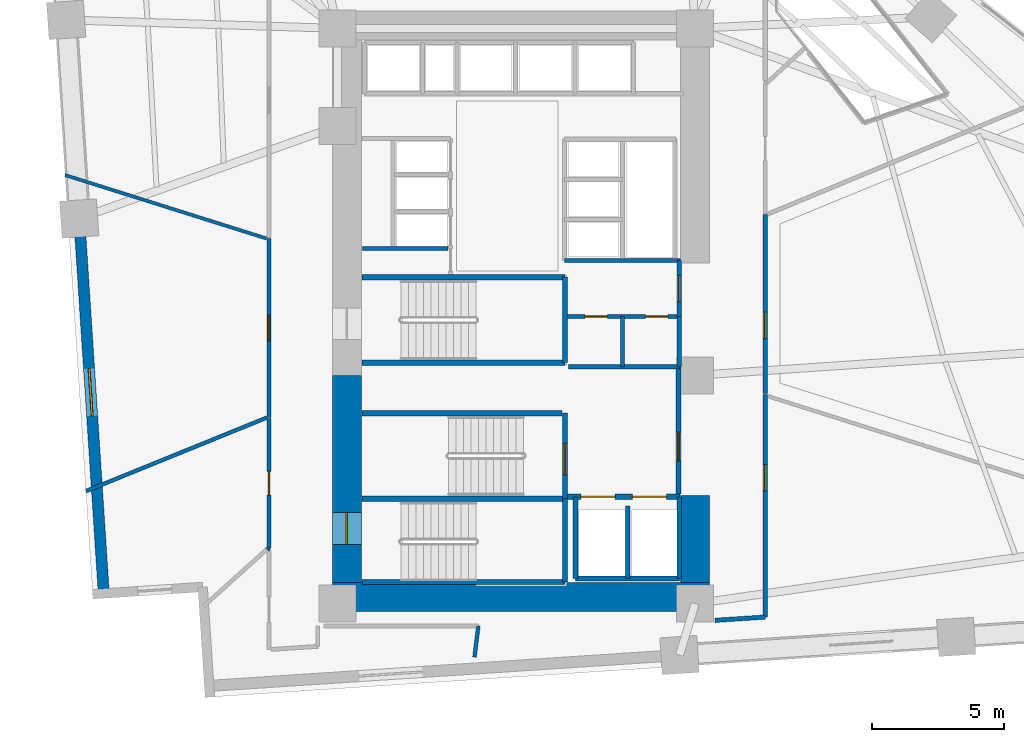
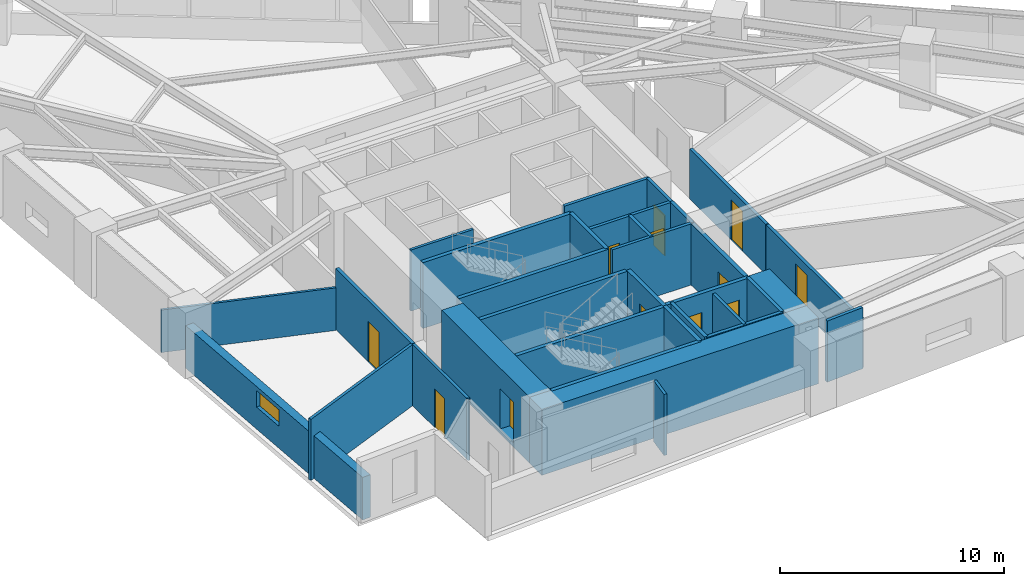
# One storey, part 12 of 16: 34 walls, 12 doors, 1 window, 13 openings.
"""IFC4 building model written with IfcOpenShell, lengths in metres."""

from ifc_helpers import new_model, si_unit, direction, frame, frame_2d, origin, place, context, subcontext, project, spatial, rectangle, extrude, material, layer, layer_set, type_object, element, fill, save


model = new_model("IFC4")

# Units and contexts
model_context = context("Model", 3, precision=1e-05, world=origin(), true_north=direction((0.0, 1.0)))
body_context = subcontext(model_context, "Body", "Model", "MODEL_VIEW")
ifc_project = project(units=[si_unit("LENGTHUNIT", "METRE"), si_unit("AREAUNIT", "SQUARE_METRE"), si_unit("VOLUMEUNIT", "CUBIC_METRE"), si_unit("PLANEANGLEUNIT", "RADIAN"), si_unit("MASSUNIT", "GRAM", prefix="KILO")], contexts=[model_context])

# Site, building, storey
site_placement = place(None, origin())
site = spatial("IfcSite", under=ifc_project, at=site_placement, CompositionType="ELEMENT")
building_placement = place(site_placement, origin())
building = spatial("IfcBuilding", under=site, at=building_placement, Name="Narakoshi Arena Tower", CompositionType="ELEMENT")
storey_placement = place(building_placement, frame((0.0, 0.0, 77.699951171875)))
storey = spatial("IfcBuildingStorey", under=building, at=storey_placement, Name="L20", CompositionType="ELEMENT", Elevation=77.699951171875)

# Wall, opening, door
ifc_material_1 = material(Name="Concrete C60/75", Category="concrete")
ifc_layer_1 = layer(ifc_material_1, 1.10009765625)
ifc_layer_set_1 = layer_set([ifc_layer_1], Name="Concrete C60/75")
wall_type_1 = type_object("IfcWallType", Name="WL-CORE-1100", PredefinedType="SHEAR", material=ifc_layer_set_1)
wall_1_placement = place(storey_placement, frame((72.35009765625, 35.5, -0.260009765625), z_axis=(0.0, 0.0, 1.0), x_axis=(0.0, 1.0, 0.0)))
wall_1 = element("IfcWall", 1, at=wall_1_placement, inside=storey, type_object=wall_type_1, Name="L20 Central Core Shear Wall CW-APX-W", PredefinedType="SHEAR", context=body_context, shape_type="SweptSolid", body=[
    extrude(rectangle(XDim=7.85009765625, YDim=1.10009765625, at=frame_2d((3.925048828125, 0.0))), origin(), (0.0, 0.0, 1.0), 3.60009765625),
])
opening_1_placement = place(wall_1_placement, frame((1.449951171875, 0.0, 0.260009765625)))
opening_1 = element("IfcOpeningElement", 2, at=opening_1_placement, cuts=wall_1, Name="Opening D-03", PredefinedType="OPENING", context=body_context, shape_type="SweptSolid", body=[
    extrude(rectangle(XDim=1.199951171875, YDim=2.199951171875, at=frame_2d((0.60009765625, 1.10009765625))), frame((0.0, 0.56005859375, 0.0), z_axis=(0.0, -1.0, 0.0), x_axis=(1.0, 0.0, 0.0)), (0.0, 0.0, 1.0), 1.1201171875),
])
ifc_material_2 = material(Name="Painted galvanized steel", Category="steel")
door_type_1 = type_object("IfcDoorType", Name="DR-STR-1200", OperationType="NOTDEFINED", PredefinedType="USERDEFINED", material=ifc_material_2)
door_1_placement = place(opening_1_placement, frame((1.199951171875, 0.0, 0.0), z_axis=(0.0, 0.0, 1.0), x_axis=(-1.0, 0.0, 0.0)))
door_1 = element("IfcDoor", 3, at=door_1_placement, inside=storey, type_object=door_type_1, Name="DR-L20-001", ObjectType="EXITDOOR", OperationType="SINGLE_SWING_LEFT", OverallHeight=2.199951171875, OverallWidth=1.199951171875, PredefinedType="USERDEFINED", context=body_context, shape_type="SweptSolid", body=[
    extrude(rectangle(XDim=1.199951171875, YDim=2.199951171875, at=frame_2d((0.60009765625, 1.10009765625))), frame((0.0, 0.02490234375, 0.0), z_axis=(0.0, -1.0, 0.0), x_axis=(1.0, 0.0, 0.0)), (0.0, 0.0, 1.0), 0.050048828125),
])
fill(opening_1, door_1)

# Walls
wall_2_placement = place(storey_placement, frame((71.800048828125, 34.949951171875, -0.260009765625), z_axis=(0.0, 0.0, 1.0), x_axis=(1.0, 0.0, 0.0)))
element("IfcWall", 4, at=wall_2_placement, inside=storey, type_object=wall_type_1, Name="L20 Central Core Shear Wall CW-APX-S", PredefinedType="SHEAR", context=body_context, shape_type="SweptSolid", body=[
    extrude(rectangle(XDim=14.300048828125, YDim=1.10009765625, at=frame_2d((7.14990234375, 0.0))), origin(), (0.0, 0.0, 1.0), 3.60009765625),
])
wall_3_placement = place(storey_placement, frame((85.550048828125, 35.5, -0.260009765625), z_axis=(0.0, 0.0, 1.0), x_axis=(0.0, 1.0, 0.0)))
element("IfcWall", 5, at=wall_3_placement, inside=storey, type_object=wall_type_1, Name="L20 Central Core Shear Wall CW-APX-E", PredefinedType="SHEAR", context=body_context, shape_type="SweptSolid", body=[
    extrude(rectangle(XDim=3.300048828125, YDim=1.10009765625, at=frame_2d((1.64990234375, 0.0))), origin(), (0.0, 0.0, 1.0), 3.60009765625),
])

# Wall, opening, door
ifc_material_3 = material(Name="Gypsum plasterboard fire-rated partition")
ifc_layer_2 = layer(ifc_material_3, 0.1650390625)
ifc_layer_set_2 = layer_set([ifc_layer_2], Name="Gypsum plasterboard fire-rated partition")
wall_type_2 = type_object("IfcWallType", Name="WL-CORR-165", PredefinedType="PARTITIONING", material=ifc_layer_set_2)
wall_4_placement = place(storey_placement, frame((84.949951171875, 45.580078125, 0.0), z_axis=(0.0, 0.0, 1.0), x_axis=(0.0, 1.0, 0.0)))
wall_4 = element("IfcWall", 6, at=wall_4_placement, inside=storey, type_object=wall_type_2, Name="L20 Core Wall CPAS-E", PredefinedType="PARTITIONING", context=body_context, shape_type="SweptSolid", body=[
    extrude(rectangle(XDim=2.119873046875, YDim=0.1650390625, at=frame_2d((1.06005859375, 0.0))), origin(), (0.0, 0.0, 1.0), 3.340087890625),
])
opening_2_placement = place(wall_4_placement, frame((0.56005859375, 0.0, 0.0)))
opening_2 = element("IfcOpeningElement", 7, at=opening_2_placement, cuts=wall_4, Name="Opening D-06", PredefinedType="OPENING", context=body_context, shape_type="SweptSolid", body=[
    extrude(rectangle(XDim=1.0, YDim=2.199951171875, at=frame_2d((0.5, 1.10009765625))), frame((0.0, 0.092529296875, 0.0), z_axis=(0.0, -1.0, 0.0), x_axis=(1.0, 0.0, 0.0)), (0.0, 0.0, 1.0), 0.18505859375),
])
ifc_material_4 = material(Name="Stained oak solid-core timber", Category="wood")
door_type_2 = type_object("IfcDoorType", Name="DR-OFF-1000", OperationType="NOTDEFINED", PredefinedType="DOOR", material=ifc_material_4)
door_2_placement = place(opening_2_placement, frame((1.0, 0.0, 0.0), z_axis=(0.0, 0.0, 1.0), x_axis=(-1.0, 0.0, 0.0)))
door_2 = element("IfcDoor", 8, at=door_2_placement, inside=storey, type_object=door_type_2, Name="DR-L20-007", OperationType="SINGLE_SWING_LEFT", OverallHeight=2.199951171875, OverallWidth=1.0, PredefinedType="DOOR", context=body_context, shape_type="SweptSolid", body=[
    extrude(rectangle(XDim=1.0, YDim=2.199951171875, at=frame_2d((0.5, 1.10009765625))), frame((0.0, 0.02490234375, 0.0), z_axis=(0.0, -1.0, 0.0), x_axis=(1.0, 0.0, 0.0)), (0.0, 0.0, 1.0), 0.050048828125),
])
fill(opening_2, door_2)

wall_5_placement = place(storey_placement, frame((69.402587890625, 48.54150390625, 0.0), z_axis=(0.0, 0.0, 1.0), x_axis=(0.0, -1.0, 0.0)))
wall_5 = element("IfcWall", 9, at=wall_5_placement, inside=storey, type_object=wall_type_2, Name="L20 Corridor Partition 01-1", PredefinedType="PARTITIONING", context=body_context, shape_type="SweptSolid", body=[
    extrude(rectangle(XDim=6.792236328125, YDim=0.1650390625, at=frame_2d((3.39599609375, 0.0))), origin(), (0.0, 0.0, 1.0), 3.340087890625),
])
opening_3_placement = place(wall_5_placement, frame((2.89599609375, 0.0, 0.0)))
opening_3 = element("IfcOpeningElement", 10, at=opening_3_placement, cuts=wall_5, Name="Opening D-06", PredefinedType="OPENING", context=body_context, shape_type="SweptSolid", body=[
    extrude(rectangle(XDim=1.0, YDim=2.199951171875, at=frame_2d((0.5, 1.10009765625))), frame((0.0, 0.092529296875, 0.0), z_axis=(0.0, -1.0, 0.0), x_axis=(1.0, 0.0, 0.0)), (0.0, 0.0, 1.0), 0.18505859375),
])
door_3_placement = place(opening_3_placement, frame((1.0, 0.0, 0.0), z_axis=(0.0, 0.0, 1.0), x_axis=(-1.0, 0.0, 0.0)))
door_3 = element("IfcDoor", 11, at=door_3_placement, inside=storey, type_object=door_type_2, Name="DR-L20-014", OperationType="SINGLE_SWING_RIGHT", OverallHeight=2.199951171875, OverallWidth=1.0, PredefinedType="DOOR", context=body_context, shape_type="SweptSolid", body=[
    extrude(rectangle(XDim=1.0, YDim=2.199951171875, at=frame_2d((0.5, 1.10009765625))), frame((0.0, 0.02490234375, 0.0), z_axis=(0.0, -1.0, 0.0), x_axis=(1.0, 0.0, 0.0)), (0.0, 0.0, 1.0), 0.050048828125),
])
fill(opening_3, door_3)

wall_6_placement = place(storey_placement, frame((88.20947265625, 34.191650390625, 0.0), z_axis=(0.0, 0.0, 1.0), x_axis=(0.0, 1.0, 0.0)))
wall_6 = element("IfcWall", 12, at=wall_6_placement, inside=storey, type_object=wall_type_2, Name="L20 Corridor Partition 04-1", PredefinedType="PARTITIONING", context=body_context, shape_type="SweptSolid", body=[
    extrude(rectangle(XDim=8.43798828125, YDim=0.1650390625, at=frame_2d((4.218994140625, 0.0))), origin(), (0.0, 0.0, 1.0), 2.72509765625),
])
opening_4_placement = place(wall_6_placement, frame((4.774658203125, 0.0, 0.0)))
opening_4 = element("IfcOpeningElement", 13, at=opening_4_placement, cuts=wall_6, Name="Opening D-06", PredefinedType="OPENING", context=body_context, shape_type="SweptSolid", body=[
    extrude(rectangle(XDim=1.0, YDim=2.199951171875, at=frame_2d((0.5, 1.10009765625))), frame((0.0, 0.092529296875, 0.0), z_axis=(0.0, -1.0, 0.0), x_axis=(1.0, 0.0, 0.0)), (0.0, 0.0, 1.0), 0.18505859375),
])
door_4_placement = place(opening_4_placement, frame((1.0, 0.0, 0.0), z_axis=(0.0, 0.0, 1.0), x_axis=(-1.0, 0.0, 0.0)))
door_4 = element("IfcDoor", 14, at=door_4_placement, inside=storey, type_object=door_type_2, Name="DR-L20-017", OperationType="SINGLE_SWING_LEFT", OverallHeight=2.199951171875, OverallWidth=1.0, PredefinedType="DOOR", context=body_context, shape_type="SweptSolid", body=[
    extrude(rectangle(XDim=1.0, YDim=2.199951171875, at=frame_2d((0.5, 1.10009765625))), frame((0.0, 0.02490234375, 0.0), z_axis=(0.0, -1.0, 0.0), x_axis=(1.0, 0.0, 0.0)), (0.0, 0.0, 1.0), 0.050048828125),
])
fill(opening_4, door_4)

# Wall
wall_7_placement = place(storey_placement, frame((86.300048828125, 34.066650390625, 0.0), z_axis=(0.0, 0.0, 1.0), x_axis=(0.997864044661, 0.065324944491, 0.0)))
element("IfcWall", 15, at=wall_7_placement, inside=storey, type_object=wall_type_2, Name="L20 Corridor Partition 04-2", PredefinedType="PARTITIONING", context=body_context, shape_type="SweptSolid", body=[
    extrude(rectangle(XDim=1.91357421875, YDim=0.1650390625, at=frame_2d((0.956787109375, 0.0))), origin(), (0.0, 0.0, 1.0), 3.340087890625),
])

# Wall, opening, door
wall_8_placement = place(storey_placement, frame((88.20947265625, 42.65478515625, 0.0), z_axis=(0.0, 0.0, 1.0), x_axis=(0.0, 1.0, 0.0)))
wall_8 = element("IfcWall", 16, at=wall_8_placement, inside=storey, type_object=wall_type_2, Name="L20 Corridor Partition 05-1", PredefinedType="PARTITIONING", context=body_context, shape_type="SweptSolid", body=[
    extrude(rectangle(XDim=6.801025390625, YDim=0.1650390625, at=frame_2d((3.400390625, 0.0))), origin(), (0.0, 0.0, 1.0), 2.72509765625),
])
opening_5_placement = place(wall_8_placement, frame((2.09033203125, 0.0, 0.0)))
opening_5 = element("IfcOpeningElement", 17, at=opening_5_placement, cuts=wall_8, Name="Opening D-06", PredefinedType="OPENING", context=body_context, shape_type="SweptSolid", body=[
    extrude(rectangle(XDim=1.0, YDim=2.199951171875, at=frame_2d((0.5, 1.10009765625))), frame((0.0, 0.092529296875, 0.0), z_axis=(0.0, -1.0, 0.0), x_axis=(1.0, 0.0, 0.0)), (0.0, 0.0, 1.0), 0.18505859375),
])
door_5_placement = place(opening_5_placement, frame((1.0, 0.0, 0.0), z_axis=(0.0, 0.0, 1.0), x_axis=(-1.0, 0.0, 0.0)))
door_5 = element("IfcDoor", 18, at=door_5_placement, inside=storey, type_object=door_type_2, Name="DR-L20-018", OperationType="SINGLE_SWING_RIGHT", OverallHeight=2.199951171875, OverallWidth=1.0, PredefinedType="DOOR", context=body_context, shape_type="SweptSolid", body=[
    extrude(rectangle(XDim=1.0, YDim=2.199951171875, at=frame_2d((0.5, 1.10009765625))), frame((0.0, 0.02490234375, 0.0), z_axis=(0.0, -1.0, 0.0), x_axis=(1.0, 0.0, 0.0)), (0.0, 0.0, 1.0), 0.050048828125),
])
fill(opening_5, door_5)

# Wall
ifc_layer_3 = layer(ifc_material_3, 0.125)
ifc_layer_set_3 = layer_set([ifc_layer_3], Name="Gypsum plasterboard fire-rated partition")
wall_type_3 = type_object("IfcWallType", Name="WL-PART-125", PredefinedType="PARTITIONING", material=ifc_layer_set_3)
wall_9_placement = place(storey_placement, frame((61.676513671875, 50.939697265625, 0.0), z_axis=(0.0, 0.0, 1.0), x_axis=(0.953821246536, -0.300374815282, 0.0)))
element("IfcWall", 19, at=wall_9_placement, inside=storey, type_object=wall_type_3, Name="L20 Inter-Room Partition 01-09", PredefinedType="PARTITIONING", context=body_context, shape_type="SweptSolid", body=[
    extrude(rectangle(XDim=8.0009765625, YDim=0.125, at=frame_2d((4.00048828125, 0.0))), origin(), (0.0, 0.0, 1.0), 2.324951171875),
])

# Wall, opening, window
ifc_material_5 = material(Name="Precast concrete C45/55", Category="concrete")
ifc_layer_4 = layer(ifc_material_5, 0.419921875)
ifc_layer_set_4 = layer_set([ifc_layer_4], Name="Precast concrete C45/55")
wall_type_4 = type_object("IfcWallType", Name="WL-POD-420", PredefinedType="SOLIDWALL", material=ifc_layer_set_4)
wall_10_placement = place(storey_placement, frame((62.210205078125, 49.294921875, 0.0), z_axis=(0.0, 0.0, 1.0), x_axis=(0.065396027757, -0.997859388668, 0.0)))
wall_10 = element("IfcWall", 20, at=wall_10_placement, inside=storey, type_object=wall_type_4, Name="L20 Architectural Concrete Facade Wall LEGB-3", PredefinedType="SOLIDWALL", context=body_context, shape_type="SweptSolid", body=[
    extrude(rectangle(XDim=14.242431640625, YDim=0.419921875, at=frame_2d((7.12109375, 0.0))), origin(), (0.0, 0.0, 1.0), 2.324951171875),
])
opening_6_placement = place(wall_10_placement, frame((5.699951171875, 0.0, 1.199951171875)))
opening_6 = element("IfcOpeningElement", 21, at=opening_6_placement, cuts=wall_10, Name="Opening WN-02", PredefinedType="OPENING", context=body_context, shape_type="SweptSolid", body=[
    extrude(rectangle(XDim=1.800048828125, YDim=0.89990234375, at=frame_2d((0.89990234375, 0.449951171875))), frame((0.0, 0.219970703125, 0.0), z_axis=(0.0, -1.0, 0.0), x_axis=(1.0, 0.0, 0.0)), (0.0, 0.0, 1.0), 0.43994140625),
])
ifc_material_6 = material(Name="Bronze-tinted low-E laminated glass", Category="glass")
window_type = type_object("IfcWindowType", Name="WIN-SLT-18x09", PartitioningType="SINGLE_PANEL", PredefinedType="WINDOW", material=ifc_material_6)
window_placement = place(opening_6_placement, origin())
window = element("IfcWindow", 22, at=window_placement, inside=storey, type_object=window_type, Name="L20 LEGB3 Horizontal Slot Window 1", OverallHeight=0.89990234375, OverallWidth=1.800048828125, PartitioningType="SINGLE_PANEL", PredefinedType="WINDOW", context=body_context, shape_type="SweptSolid", body=[
    extrude(rectangle(XDim=1.800048828125, YDim=0.89990234375, at=frame_2d((0.89990234375, 0.449951171875))), frame((0.0, 0.030029296875, 0.0), z_axis=(0.0, -1.0, 0.0), x_axis=(1.0, 0.0, 0.0)), (0.0, 0.0, 1.0), 0.06005859375),
])
fill(opening_6, window)

# Walls
ifc_material_7 = material(Name="Concrete C40/50", Category="concrete")
ifc_layer_5 = layer(ifc_material_7, 0.280029296875)
ifc_layer_set_5 = layer_set([ifc_layer_5], Name="Concrete C40/50")
wall_type_5 = type_object("IfcWallType", Name="WL-RISER-280", PredefinedType="PLUMBINGWALL", material=ifc_layer_set_5)
wall_11_placement = place(storey_placement, frame((83.0, 35.64990234375, 0.0), z_axis=(0.0, 0.0, 1.0), x_axis=(0.0, 1.0, 0.0)))
element("IfcWall", 23, at=wall_11_placement, inside=storey, type_object=wall_type_5, Name="L20 Core Wall FF-DIV", PredefinedType="PLUMBINGWALL", context=body_context, shape_type="SweptSolid", body=[
    extrude(rectangle(XDim=2.75, YDim=0.159912109375, at=frame_2d((1.375, 0.0))), origin(), (0.0, 0.0, 1.0), 3.340087890625),
])
wall_12_placement = place(storey_placement, frame((84.949951171875, 43.679931640625, 0.0), z_axis=(0.0, 0.0, 1.0), x_axis=(0.0, 1.0, 0.0)))
element("IfcWall", 24, at=wall_12_placement, inside=storey, type_object=wall_type_5, Name="L20 Core Wall RSR-E", PredefinedType="PLUMBINGWALL", context=body_context, shape_type="SweptSolid", body=[
    extrude(rectangle(XDim=1.900146484375, YDim=0.1650390625, at=frame_2d((0.9501953125, 0.0))), origin(), (0.0, 0.0, 1.0), 3.340087890625),
])

# Wall, openings, doors
wall_13_placement = place(storey_placement, frame((80.719970703125, 45.580078125, 0.0), z_axis=(0.0, 0.0, 1.0), x_axis=(1.0, 0.0, 0.0)))
wall_13 = element("IfcWall", 25, at=wall_13_placement, inside=storey, type_object=wall_type_5, Name="L20 Core Wall RSR-N", PredefinedType="PLUMBINGWALL", context=body_context, shape_type="SweptSolid", body=[
    extrude(rectangle(XDim=4.22998046875, YDim=0.159912109375, at=frame_2d((2.114990234375, 0.0))), origin(), (0.0, 0.0, 1.0), 3.340087890625),
])
opening_7_placement = place(wall_13_placement, frame((0.64990234375, 0.0, 0.0)))
opening_7 = element("IfcOpeningElement", 26, at=opening_7_placement, cuts=wall_13, Name="Opening D-10", PredefinedType="OPENING", context=body_context, shape_type="SweptSolid", body=[
    extrude(rectangle(XDim=0.85009765625, YDim=2.050048828125, at=frame_2d((0.425048828125, 1.02490234375))), frame((0.0, 0.08984375, 0.0), z_axis=(0.0, -1.0, 0.0), x_axis=(1.0, 0.0, 0.0)), (0.0, 0.0, 1.0), 0.179931640625),
])
opening_8_placement = place(wall_13_placement, frame((2.949951171875, 0.0, 0.0)))
opening_8 = element("IfcOpeningElement", 27, at=opening_8_placement, cuts=wall_13, Name="Opening D-10", PredefinedType="OPENING", context=body_context, shape_type="SweptSolid", body=[
    extrude(rectangle(XDim=0.85009765625, YDim=2.050048828125, at=frame_2d((0.425048828125, 1.02490234375))), frame((0.0, 0.08984375, 0.0), z_axis=(0.0, -1.0, 0.0), x_axis=(1.0, 0.0, 0.0)), (0.0, 0.0, 1.0), 0.179931640625),
])
door_type_3 = type_object("IfcDoorType", Name="DR-RSR-850", OperationType="NOTDEFINED", PredefinedType="DOOR", material=ifc_material_2)
door_6_placement = place(opening_7_placement, frame((0.85009765625, 0.0, 0.0), z_axis=(0.0, 0.0, 1.0), x_axis=(-1.0, 0.0, 0.0)))
door_6 = element("IfcDoor", 28, at=door_6_placement, inside=storey, type_object=door_type_3, Name="DR-L20-008", OperationType="SINGLE_SWING_LEFT", OverallHeight=2.050048828125, OverallWidth=0.85009765625, PredefinedType="DOOR", context=body_context, shape_type="SweptSolid", body=[
    extrude(rectangle(XDim=0.85009765625, YDim=2.050048828125, at=frame_2d((0.425048828125, 1.02490234375))), frame((0.0, 0.02490234375, 0.0), z_axis=(0.0, -1.0, 0.0), x_axis=(1.0, 0.0, 0.0)), (0.0, 0.0, 1.0), 0.050048828125),
])
fill(opening_7, door_6)
door_7_placement = place(opening_8_placement, frame((0.85009765625, 0.0, 0.0), z_axis=(0.0, 0.0, 1.0), x_axis=(-1.0, 0.0, 0.0)))
door_7 = element("IfcDoor", 29, at=door_7_placement, inside=storey, type_object=door_type_3, Name="DR-L20-009", OperationType="SINGLE_SWING_RIGHT", OverallHeight=2.050048828125, OverallWidth=0.85009765625, PredefinedType="DOOR", context=body_context, shape_type="SweptSolid", body=[
    extrude(rectangle(XDim=0.85009765625, YDim=2.050048828125, at=frame_2d((0.425048828125, 1.02490234375))), frame((0.0, 0.02490234375, 0.0), z_axis=(0.0, -1.0, 0.0), x_axis=(1.0, 0.0, 0.0)), (0.0, 0.0, 1.0), 0.050048828125),
])
fill(opening_8, door_7)

# Walls
wall_14_placement = place(storey_placement, frame((80.760009765625, 43.679931640625, 0.0), z_axis=(0.0, 0.0, 1.0), x_axis=(1.0, 0.0, 0.0)))
element("IfcWall", 30, at=wall_14_placement, inside=storey, type_object=wall_type_5, Name="L20 Core Wall RSR-S", PredefinedType="PLUMBINGWALL", context=body_context, shape_type="SweptSolid", body=[
    extrude(rectangle(XDim=4.18994140625, YDim=0.159912109375, at=frame_2d((2.094970703125, 0.0))), origin(), (0.0, 0.0, 1.0), 3.340087890625),
])
wall_15_placement = place(storey_placement, frame((82.800048828125, 43.679931640625, 0.0), z_axis=(0.0, 0.0, 1.0), x_axis=(0.0, 1.0, 0.0)))
element("IfcWall", 31, at=wall_15_placement, inside=storey, type_object=wall_type_5, Name="L20 Core Wall RSR-M", PredefinedType="PLUMBINGWALL", context=body_context, shape_type="SweptSolid", body=[
    extrude(rectangle(XDim=1.900146484375, YDim=0.159912109375, at=frame_2d((0.9501953125, 0.0))), origin(), (0.0, 0.0, 1.0), 3.340087890625),
])
wall_16_placement = place(storey_placement, frame((72.949951171875, 48.159912109375, 0.0), z_axis=(0.0, 0.0, 1.0), x_axis=(1.0, 0.0, 0.0)))
element("IfcWall", 32, at=wall_16_placement, inside=storey, type_object=wall_type_5, Name="L20 Core Wall LR-S0", PredefinedType="PLUMBINGWALL", context=body_context, shape_type="SweptSolid", body=[
    extrude(rectangle(XDim=3.239990234375, YDim=0.139892578125, at=frame_2d((1.6201171875, 0.0))), origin(), (0.0, 0.0, 1.0), 3.340087890625),
])
ifc_material_8 = material(Name="Concrete C50/60", Category="concrete")
ifc_layer_6 = layer(ifc_material_8, 0.35009765625)
ifc_layer_set_6 = layer_set([ifc_layer_6], Name="Concrete C50/60")
wall_type_6 = type_object("IfcWallType", Name="WL-SHAFT-350", PredefinedType="SOLIDWALL", material=ifc_layer_set_6)
for number, where, z_axis, x_axis, name in (
    (33, (72.919921875, 35.52001953125, -0.260009765625), (0.0, 0.0, 1.0), (1.0, 0.0, 0.0), "L20 Core Wall ST1-S"),
    (34, (72.919921875, 38.675048828125, -0.260009765625), (0.0, 0.0, 1.0), (1.0, 0.0, 0.0), "L20 Core Wall ST12-DIV"),
):
    element("IfcWall", number, at=place(storey_placement, frame(where, z_axis=z_axis, x_axis=x_axis)), inside=storey, type_object=wall_type_6, Name=name, PredefinedType="SOLIDWALL", context=body_context, shape_type="SweptSolid", body=[
        extrude(rectangle(XDim=7.7001953125, YDim=0.199951171875, at=frame_2d((3.85009765625, 0.0))), origin(), (0.0, 0.0, 1.0), 3.60009765625),
    ])
wall_17_placement = place(storey_placement, frame((80.6201171875, 35.52001953125, -0.260009765625), z_axis=(0.0, 0.0, 1.0), x_axis=(0.0, 1.0, 0.0)))
element("IfcWall", 35, at=wall_17_placement, inside=storey, type_object=wall_type_6, Name="L20 Core Wall ST1-E", PredefinedType="SOLIDWALL", context=body_context, shape_type="SweptSolid", body=[
    extrude(rectangle(XDim=3.155029296875, YDim=0.199951171875, at=frame_2d((1.57763671875, 0.0))), origin(), (0.0, 0.0, 1.0), 3.60009765625),
])

# Wall, opening, door
wall_18_placement = place(storey_placement, frame((80.6201171875, 38.675048828125, -0.260009765625), z_axis=(0.0, 0.0, 1.0), x_axis=(0.0, 1.0, 0.0)))
wall_18 = element("IfcWall", 36, at=wall_18_placement, inside=storey, type_object=wall_type_6, Name="L20 Core Wall ST2-E", PredefinedType="SOLIDWALL", context=body_context, shape_type="SweptSolid", body=[
    extrude(rectangle(XDim=3.244873046875, YDim=0.199951171875, at=frame_2d((1.62255859375, 0.0))), origin(), (0.0, 0.0, 1.0), 3.60009765625),
])
opening_9_placement = place(wall_18_placement, frame((0.89990234375, 0.0, 0.260009765625)))
opening_9 = element("IfcOpeningElement", 37, at=opening_9_placement, cuts=wall_18, Name="Opening D-03", PredefinedType="OPENING", context=body_context, shape_type="SweptSolid", body=[
    extrude(rectangle(XDim=1.199951171875, YDim=2.199951171875, at=frame_2d((0.60009765625, 1.10009765625))), frame((0.0, 0.10986328125, 0.0), z_axis=(0.0, -1.0, 0.0), x_axis=(1.0, 0.0, 0.0)), (0.0, 0.0, 1.0), 0.219970703125),
])
door_8_placement = place(opening_9_placement, origin())
door_8 = element("IfcDoor", 38, at=door_8_placement, inside=storey, type_object=door_type_1, Name="DR-L20-002", ObjectType="EXITDOOR", OperationType="SINGLE_SWING_RIGHT", OverallHeight=2.199951171875, OverallWidth=1.199951171875, PredefinedType="USERDEFINED", context=body_context, shape_type="SweptSolid", body=[
    extrude(rectangle(XDim=1.199951171875, YDim=2.199951171875, at=frame_2d((0.60009765625, 1.10009765625))), frame((0.0, 0.02490234375, 0.0), z_axis=(0.0, -1.0, 0.0), x_axis=(1.0, 0.0, 0.0)), (0.0, 0.0, 1.0), 0.050048828125),
])
fill(opening_9, door_8)

# Wall, openings, doors
wall_19_placement = place(storey_placement, frame((80.719970703125, 38.75, 0.0), z_axis=(0.0, 0.0, 1.0), x_axis=(1.0, 0.0, 0.0)))
wall_19 = element("IfcWall", 39, at=wall_19_placement, inside=storey, type_object=wall_type_6, Name="L20 Core Wall FF-N", PredefinedType="SOLIDWALL", context=body_context, shape_type="SweptSolid", body=[
    extrude(rectangle(XDim=4.260009765625, YDim=0.199951171875, at=frame_2d((2.1298828125, 0.0))), origin(), (0.0, 0.0, 1.0), 3.340087890625),
])
opening_10_placement = place(wall_19_placement, frame((0.5, 0.0, 0.0)))
opening_10 = element("IfcOpeningElement", 40, at=opening_10_placement, cuts=wall_19, Name="Opening LD-02", PredefinedType="OPENING", context=body_context, shape_type="SweptSolid", body=[
    extrude(rectangle(XDim=1.300048828125, YDim=2.300048828125, at=frame_2d((0.64990234375, 1.14990234375))), frame((0.0, 0.10986328125, 0.0), z_axis=(0.0, -1.0, 0.0), x_axis=(1.0, 0.0, 0.0)), (0.0, 0.0, 1.0), 0.219970703125),
])
opening_11_placement = place(wall_19_placement, frame((2.449951171875, 0.0, 0.0)))
opening_11 = element("IfcOpeningElement", 41, at=opening_11_placement, cuts=wall_19, Name="Opening LD-02", PredefinedType="OPENING", context=body_context, shape_type="SweptSolid", body=[
    extrude(rectangle(XDim=1.300048828125, YDim=2.300048828125, at=frame_2d((0.64990234375, 1.14990234375))), frame((0.0, 0.10986328125, 0.0), z_axis=(0.0, -1.0, 0.0), x_axis=(1.0, 0.0, 0.0)), (0.0, 0.0, 1.0), 0.219970703125),
])
ifc_material_9 = material(Name="Brushed bronze stainless steel", Category="steel")
door_type_4 = type_object("IfcDoorType", Name="DR-LFT-1300", OperationType="DOUBLE_DOOR_SLIDING", PredefinedType="DOOR", material=ifc_material_9)
door_9_placement = place(opening_10_placement, origin())
door_9 = element("IfcDoor", 42, at=door_9_placement, inside=storey, type_object=door_type_4, Name="DR-L20-003", OperationType="DOUBLE_DOOR_SLIDING", OverallHeight=2.300048828125, OverallWidth=1.300048828125, PredefinedType="DOOR", context=body_context, shape_type="SweptSolid", body=[
    extrude(rectangle(XDim=1.300048828125, YDim=2.300048828125, at=frame_2d((0.64990234375, 1.14990234375))), frame((0.0, 0.02490234375, 0.0), z_axis=(0.0, -1.0, 0.0), x_axis=(1.0, 0.0, 0.0)), (0.0, 0.0, 1.0), 0.050048828125),
])
fill(opening_10, door_9)
door_10_placement = place(opening_11_placement, origin())
door_10 = element("IfcDoor", 43, at=door_10_placement, inside=storey, type_object=door_type_4, Name="DR-L20-004", OperationType="DOUBLE_DOOR_SLIDING", OverallHeight=2.300048828125, OverallWidth=1.300048828125, PredefinedType="DOOR", context=body_context, shape_type="SweptSolid", body=[
    extrude(rectangle(XDim=1.300048828125, YDim=2.300048828125, at=frame_2d((0.64990234375, 1.14990234375))), frame((0.0, 0.02490234375, 0.0), z_axis=(0.0, -1.0, 0.0), x_axis=(1.0, 0.0, 0.0)), (0.0, 0.0, 1.0), 0.050048828125),
])
fill(opening_11, door_10)

# Walls
for number, where, z_axis, x_axis, name in (
    (44, (84.949951171875, 35.64990234375, 0.0), (0.0, 0.0, 1.0), (0.0, 1.0, 0.0), "L20 Core Wall FF-E"),
    (45, (81.02001953125, 35.64990234375, 0.0), (0.0, 0.0, 1.0), (0.0, 1.0, 0.0), "L20 Core Wall FF-W"),
):
    element("IfcWall", number, at=place(storey_placement, frame(where, z_axis=z_axis, x_axis=x_axis)), inside=storey, type_object=wall_type_6, Name=name, PredefinedType="SOLIDWALL", context=body_context, shape_type="SweptSolid", body=[
        extrude(rectangle(XDim=3.10009765625, YDim=0.179931640625, at=frame_2d((1.550048828125, 0.0))), origin(), (0.0, 0.0, 1.0), 3.340087890625),
    ])
wall_20_placement = place(storey_placement, frame((81.02001953125, 35.64990234375, 0.0), z_axis=(0.0, 0.0, 1.0), x_axis=(1.0, 0.0, 0.0)))
element("IfcWall", 46, at=wall_20_placement, inside=storey, type_object=wall_type_6, Name="L20 Core Wall FF-S", PredefinedType="SOLIDWALL", context=body_context, shape_type="SweptSolid", body=[
    extrude(rectangle(XDim=3.929931640625, YDim=0.179931640625, at=frame_2d((1.96484375, 0.0))), origin(), (0.0, 0.0, 1.0), 3.340087890625),
])

# Wall, opening, door
wall_21_placement = place(storey_placement, frame((84.919921875, 38.85009765625, 0.0), z_axis=(0.0, 0.0, 1.0), x_axis=(0.0, 1.0, 0.0)))
wall_21 = element("IfcWall", 47, at=wall_21_placement, inside=storey, type_object=wall_type_6, Name="L20 Core Wall FFLOB-E", PredefinedType="SOLIDWALL", context=body_context, shape_type="SweptSolid", body=[
    extrude(rectangle(XDim=4.829833984375, YDim=0.199951171875, at=frame_2d((2.4150390625, 0.0))), origin(), (0.0, 0.0, 1.0), 3.340087890625),
])
opening_12_placement = place(wall_21_placement, frame((1.25, 0.0, 0.0)))
opening_12 = element("IfcOpeningElement", 48, at=opening_12_placement, cuts=wall_21, Name="Opening D-04", PredefinedType="OPENING", context=body_context, shape_type="SweptSolid", body=[
    extrude(rectangle(XDim=1.10009765625, YDim=2.199951171875, at=frame_2d((0.550048828125, 1.10009765625))), frame((0.0, 0.10986328125, 0.0), z_axis=(0.0, -1.0, 0.0), x_axis=(1.0, 0.0, 0.0)), (0.0, 0.0, 1.0), 0.219970703125),
])
door_type_5 = type_object("IfcDoorType", Name="DR-FFL-1100", OperationType="NOTDEFINED", PredefinedType="DOOR", material=ifc_material_2)
door_11_placement = place(opening_12_placement, frame((1.10009765625, 0.0, 0.0), z_axis=(0.0, 0.0, 1.0), x_axis=(-1.0, 0.0, 0.0)))
door_11 = element("IfcDoor", 49, at=door_11_placement, inside=storey, type_object=door_type_5, Name="DR-L20-005", OperationType="SINGLE_SWING_RIGHT", OverallHeight=2.199951171875, OverallWidth=1.10009765625, PredefinedType="DOOR", context=body_context, shape_type="SweptSolid", body=[
    extrude(rectangle(XDim=1.10009765625, YDim=2.199951171875, at=frame_2d((0.550048828125, 1.10009765625))), frame((0.0, 0.02490234375, 0.0), z_axis=(0.0, -1.0, 0.0), x_axis=(1.0, 0.0, 0.0)), (0.0, 0.0, 1.0), 0.050048828125),
])
fill(opening_12, door_11)

# Walls
wall_22_placement = place(storey_placement, frame((72.919921875, 41.919921875, -0.260009765625), z_axis=(0.0, 0.0, 1.0), x_axis=(1.0, 0.0, 0.0)))
element("IfcWall", 50, at=wall_22_placement, inside=storey, type_object=wall_type_6, Name="L20 Core Wall ST2-N", PredefinedType="SOLIDWALL", context=body_context, shape_type="SweptSolid", body=[
    extrude(rectangle(XDim=7.580078125, YDim=0.199951171875, at=frame_2d((3.7900390625, 0.0))), origin(), (0.0, 0.0, 1.0), 3.60009765625),
])
for number, where, z_axis, x_axis, name in (
    (51, (72.919921875, 43.830078125, -0.260009765625), (0.0, 0.0, 1.0), (1.0, 0.0, 0.0), "L20 Core Wall ST3-S"),
    (52, (72.919921875, 47.070068359375, -0.260009765625), (0.0, 0.0, 1.0), (1.0, 0.0, 0.0), "L20 Core Wall ST3-N"),
):
    element("IfcWall", number, at=place(storey_placement, frame(where, z_axis=z_axis, x_axis=x_axis)), inside=storey, type_object=wall_type_6, Name=name, PredefinedType="SOLIDWALL", context=body_context, shape_type="SweptSolid", body=[
        extrude(rectangle(XDim=7.7001953125, YDim=0.199951171875, at=frame_2d((3.85009765625, 0.0))), origin(), (0.0, 0.0, 1.0), 3.60009765625),
    ])
wall_23_placement = place(storey_placement, frame((80.6201171875, 43.830078125, -0.260009765625), z_axis=(0.0, 0.0, 1.0), x_axis=(0.0, 1.0, 0.0)))
element("IfcWall", 53, at=wall_23_placement, inside=storey, type_object=wall_type_6, Name="L20 Core Wall ST3-E", PredefinedType="SOLIDWALL", context=body_context, shape_type="SweptSolid", body=[
    extrude(rectangle(XDim=3.239990234375, YDim=0.199951171875, at=frame_2d((1.6201171875, 0.0))), origin(), (0.0, 0.0, 1.0), 3.60009765625),
])
wall_24_placement = place(storey_placement, frame((80.60009765625, 47.699951171875, 0.0), z_axis=(0.0, 0.0, 1.0), x_axis=(1.0, 0.0, 0.0)))
element("IfcWall", 54, at=wall_24_placement, inside=storey, type_object=wall_type_6, Name="L20 Core Wall MR-S", PredefinedType="SOLIDWALL", context=body_context, shape_type="SweptSolid", body=[
    extrude(rectangle(XDim=4.39990234375, YDim=0.159912109375, at=frame_2d((2.199951171875, 0.0))), origin(), (0.0, 0.0, 1.0), 3.340087890625),
])
ifc_material_10 = material(Name="Moisture-resistant cement-board partition")
ifc_layer_7 = layer(ifc_material_10, 0.14501953125)
ifc_layer_set_7 = layer_set([ifc_layer_7], Name="Moisture-resistant cement-board partition")
wall_type_7 = type_object("IfcWallType", Name="WL-WET-145", PredefinedType="PARTITIONING", material=ifc_layer_set_7)
wall_25_placement = place(storey_placement, frame((69.31884765625, 41.749267578125, 0.0), z_axis=(0.0, 0.0, 1.0), x_axis=(-0.926394680215, -0.376553975506, 0.0)))
element("IfcWall", 55, at=wall_25_placement, inside=storey, type_object=wall_type_7, Name="L20 Inter-Room Partition 01-02", PredefinedType="PARTITIONING", context=body_context, shape_type="SweptSolid", body=[
    extrude(rectangle(XDim=7.40234375, YDim=0.14501953125, at=frame_2d((3.701171875, 0.0))), origin(), (0.0, 0.0, 1.0), 3.340087890625),
])

# Wall, opening, door
wall_26_placement = place(storey_placement, frame((69.402587890625, 41.72314453125, 0.0), z_axis=(0.0, 0.0, 1.0), x_axis=(0.0, -1.0, 0.0)))
wall_26 = element("IfcWall", 56, at=wall_26_placement, inside=storey, type_object=wall_type_7, Name="L20 Corridor Partition 02-1", PredefinedType="PARTITIONING", context=body_context, shape_type="SweptSolid", body=[
    extrude(rectangle(XDim=4.916259765625, YDim=0.14501953125, at=frame_2d((2.4580078125, 0.0))), origin(), (0.0, 0.0, 1.0), 3.340087890625),
])
opening_13_placement = place(wall_26_placement, frame((2.008056640625, 0.0, 0.0)))
opening_13 = element("IfcOpeningElement", 57, at=opening_13_placement, cuts=wall_26, Name="Opening D-08", PredefinedType="OPENING", context=body_context, shape_type="SweptSolid", body=[
    extrude(rectangle(XDim=0.89990234375, YDim=2.10009765625, at=frame_2d((0.449951171875, 1.050048828125))), frame((0.0, 0.08251953125, 0.0), z_axis=(0.0, -1.0, 0.0), x_axis=(1.0, 0.0, 0.0)), (0.0, 0.0, 1.0), 0.1650390625),
])
ifc_material_11 = material(Name="Moisture-resistant laminate timber", Category="wood")
door_type_6 = type_object("IfcDoorType", Name="DR-WC-900", OperationType="NOTDEFINED", PredefinedType="DOOR", material=ifc_material_11)
door_12_placement = place(opening_13_placement, frame((0.89990234375, 0.0, 0.0), z_axis=(0.0, 0.0, 1.0), x_axis=(-1.0, 0.0, 0.0)))
door_12 = element("IfcDoor", 58, at=door_12_placement, inside=storey, type_object=door_type_6, Name="DR-L20-015", OperationType="SINGLE_SWING_LEFT", OverallHeight=2.10009765625, OverallWidth=0.89990234375, PredefinedType="DOOR", context=body_context, shape_type="SweptSolid", body=[
    extrude(rectangle(XDim=0.89990234375, YDim=2.10009765625, at=frame_2d((0.449951171875, 1.050048828125))), frame((0.0, 0.02490234375, 0.0), z_axis=(0.0, -1.0, 0.0), x_axis=(1.0, 0.0, 0.0)), (0.0, 0.0, 1.0), 0.050048828125),
])
fill(opening_13, door_12)

# Walls
wall_27_placement = place(storey_placement, frame((69.402587890625, 36.806884765625, 0.0), z_axis=(0.0, 0.0, 1.0), x_axis=(-0.730462531297, -0.682952773164, 0.0)))
element("IfcWall", 59, at=wall_27_placement, inside=storey, type_object=wall_type_7, Name="L20 Corridor Partition 02-2", PredefinedType="PARTITIONING", context=body_context, shape_type="SweptSolid", body=[
    extrude(rectangle(XDim=0.082275390625, YDim=0.14501953125, at=frame_2d((0.041015625, 0.0))), origin(), (0.0, 0.0, 1.0), 3.340087890625),
])
wall_28_placement = place(storey_placement, frame((77.334716796875, 33.85009765625, 0.0), z_axis=(0.0, 0.0, 1.0), x_axis=(-0.122641676456, -0.992451016018, 0.0)))
element("IfcWall", 60, at=wall_28_placement, inside=storey, type_object=wall_type_7, Name="L20 Room Enclosure Partition 03-2", PredefinedType="PARTITIONING", context=body_context, shape_type="SweptSolid", body=[
    extrude(rectangle(XDim=1.1865234375, YDim=0.14501953125, at=frame_2d((0.59326171875, 0.0))), origin(), (0.0, 0.0, 1.0), 3.340087890625),
])

save(model, "model.ifc")
